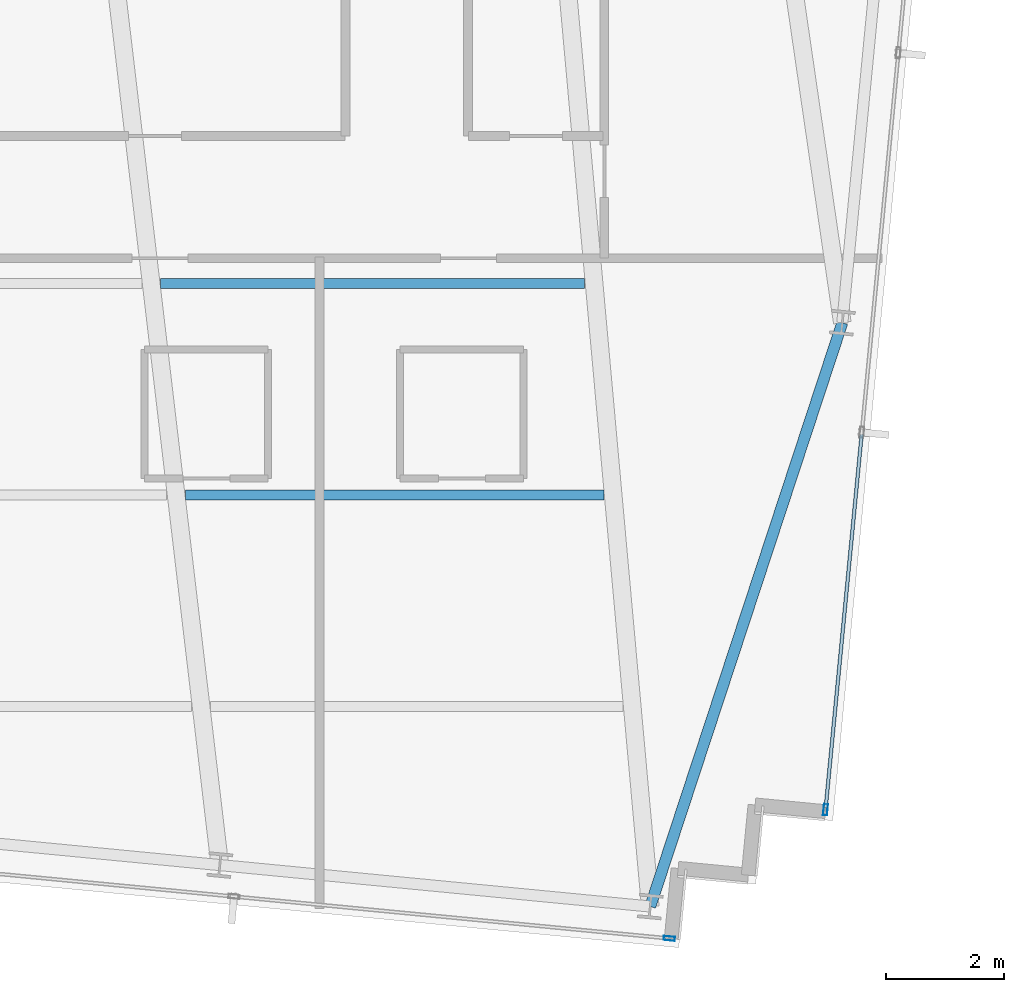
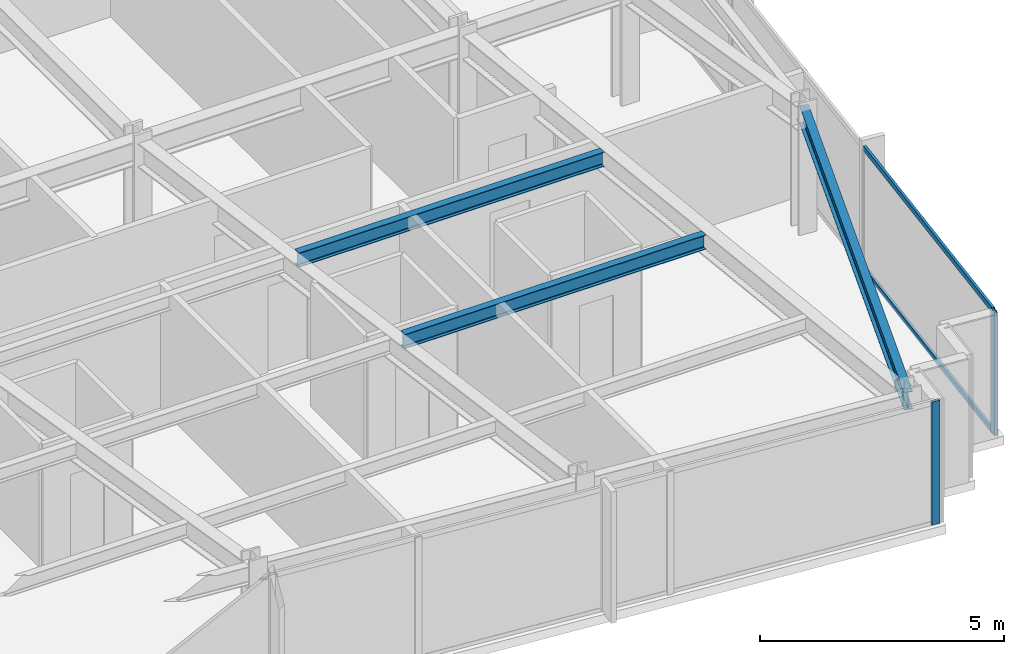
# One storey, part 14 of 38: 4 members, 3 beams, 2 elements without a shape of their own.
"""IFC4 building model written with IfcOpenShell, lengths in metres."""

from ifc_helpers import new_model, si_unit, direction, frame, origin, origin_2d, place, context, subcontext, project, spatial, hollow_rectangle, i_section, extrude, material, material_profile, profile_set, type_object, element, aggregate, save


model = new_model("IFC4")

# Units and contexts
model_context = context("Model", 3, precision=1e-05, world=origin(), true_north=direction((0.0, 1.0)))
body_context = subcontext(model_context, "Body", "Model", "MODEL_VIEW")
ifc_project = project(units=[si_unit("LENGTHUNIT", "METRE"), si_unit("AREAUNIT", "SQUARE_METRE"), si_unit("VOLUMEUNIT", "CUBIC_METRE"), si_unit("PLANEANGLEUNIT", "RADIAN"), si_unit("MASSUNIT", "GRAM", prefix="KILO")], contexts=[model_context])

# Site, building, storey
site_placement = place(None, origin())
site = spatial("IfcSite", under=ifc_project, at=site_placement, CompositionType="ELEMENT")
building_placement = place(site_placement, origin())
building = spatial("IfcBuilding", under=site, at=building_placement, Name="Yelkora Congress Tower", CompositionType="ELEMENT")
storey_placement = place(building_placement, frame((0.0, 0.0, 185.300048828125)))
storey = spatial("IfcBuildingStorey", under=building, at=storey_placement, Name="L51", CompositionType="ELEMENT", Elevation=185.300048828125)

# Beams
ifc_material_1 = material(Name="Steel S355J2", Category="steel")
ifc_material_profile_1 = material_profile(ifc_material_1, i_section(OverallWidth=0.169921875, OverallDepth=0.360107421875, WebThickness=0.008056640625, FlangeThickness=0.0126953125, FilletRadius=0.01806640625, at=origin_2d()), Name="IPE 360")
ifc_profile_set_1 = profile_set([ifc_material_profile_1], Name="Steel S355J2")
beam_type_1 = type_object("IfcBeamType", Name="BM-JOIST-IPE360", PredefinedType="JOIST", material=ifc_profile_set_1)
beam_1_placement = place(storey_placement, frame((47.27587890625, 16.421142578125, 2.89990234375), z_axis=(1.0, 0.0, 0.0), x_axis=(0.0, 1.0, 0.0)))
element("IfcBeam", 1, at=beam_1_placement, inside=storey, type_object=beam_type_1, Name="L51 Composite Floor Joist 11", PredefinedType="JOIST", context=body_context, shape_type="SweptSolid", body=[
    extrude(i_section(OverallWidth=0.169921875, OverallDepth=0.360107421875, WebThickness=0.008056640625, FlangeThickness=0.0126953125, FilletRadius=0.01806640625, at=origin_2d()), origin(), (0.0, 0.0, 1.0), 7.115234375),
])
beam_2_placement = place(storey_placement, frame((46.851318359375, 20.021240234375, 2.89990234375), z_axis=(1.0, 0.0, 0.0), x_axis=(0.0, 1.0, 0.0)))
element("IfcBeam", 2, at=beam_2_placement, inside=storey, type_object=beam_type_1, Name="L51 Composite Floor Joist 18", PredefinedType="JOIST", context=body_context, shape_type="SweptSolid", body=[
    extrude(i_section(OverallWidth=0.169921875, OverallDepth=0.360107421875, WebThickness=0.008056640625, FlangeThickness=0.0126953125, FilletRadius=0.01806640625, at=origin_2d()), origin(), (0.0, 0.0, 1.0), 7.215576171875),
])
ifc_material_profile_2 = material_profile(ifc_material_1, i_section(OverallWidth=0.18994140625, OverallDepth=0.449951171875, WebThickness=0.009521484375, FlangeThickness=0.0146484375, FilletRadius=0.02099609375, at=origin_2d()), Name="IPE 450")
ifc_profile_set_2 = profile_set([ifc_material_profile_2], Name="Steel S355J2")
beam_type_2 = type_object("IfcBeamType", Name="BM-SPAN-IPE450", PredefinedType="SPANDREL", material=ifc_profile_set_2)
beam_3_placement = place(storey_placement, frame((55.18212890625, 9.421142578125, 2.85498046875), z_axis=(0.312456737339, 0.949931990877, 0.0), x_axis=(-0.949931990877, 0.312456737339, 0.0)))
element("IfcBeam", 3, at=beam_3_placement, inside=storey, type_object=beam_type_2, Name="L51 Perimeter Beam 9", PredefinedType="SPANDREL", context=body_context, shape_type="SweptSolid", body=[
    extrude(i_section(OverallWidth=0.18994140625, OverallDepth=0.449951171875, WebThickness=0.009521484375, FlangeThickness=0.0146484375, FilletRadius=0.02099609375, at=origin_2d()), origin(), (0.0, 0.0, 1.0), 10.4560546875),
])

# Curtain wall, member
ifc_material_2 = material(Name="Anodised aluminium and insulated glass", Category="aluminium")
curtain_wall_type = type_object("IfcCurtainWallType", Name="CW-SYS-B3", PredefinedType="NOTDEFINED", material=ifc_material_2)
curtain_wall_1_placement = place(storey_placement, origin())
curtain_wall_1 = element("IfcCurtainWall", 4, at=curtain_wall_1_placement, inside=storey, type_object=curtain_wall_type, Name="L51 Unitised Curtain Wall 15", PredefinedType="NOTDEFINED")
ifc_material_3 = material(Name="Anodised aluminium 6063-T6", Category="aluminium")
ifc_material_profile_3 = material_profile(ifc_material_3, hollow_rectangle(XDim=0.070068359375, YDim=0.18994140625, WallThickness=0.00390625, at=origin_2d()), Name="ALU 70x190x4")
ifc_profile_set_3 = profile_set([ifc_material_profile_3], Name="Anodised aluminium 6063-T6")
member_type_1 = type_object("IfcMemberType", Name="MEM-ML-B3", PredefinedType="MULLION", material=ifc_profile_set_3)
member_1_placement = place(storey_placement, frame((58.163818359375, 11.068115234375, 0.0), z_axis=(0.0, 0.0, 1.0), x_axis=(0.995396565076, -0.095841944023, 0.0)))
member_1 = element("IfcMember", 5, at=member_1_placement, type_object=member_type_1, Name="CW-B3 mullion 6", PredefinedType="MULLION", context=body_context, shape_type="SweptSolid", body=[
    extrude(hollow_rectangle(XDim=0.070068359375, YDim=0.18994140625, WallThickness=0.00390625, at=origin_2d()), origin(), (0.0, 0.0, 1.0), 3.079833984375),
])

curtain_wall_2_placement = place(storey_placement, origin())
curtain_wall_2 = element("IfcCurtainWall", 6, at=curtain_wall_2_placement, inside=storey, type_object=curtain_wall_type, Name="L51 Unitised Curtain Wall 20", PredefinedType="NOTDEFINED")
member_2_placement = place(storey_placement, frame((55.506591796875, 8.877685546875, 0.0), z_axis=(0.0, 0.0, 1.0), x_axis=(-0.095844680679, -0.995396301573, 0.0)))
member_2 = element("IfcMember", 7, at=member_2_placement, type_object=member_type_1, Name="CW-B3 mullion 1", PredefinedType="MULLION", context=body_context, shape_type="SweptSolid", body=[
    extrude(hollow_rectangle(XDim=0.070068359375, YDim=0.18994140625, WallThickness=0.00390625, at=origin_2d()), origin(), (0.0, 0.0, 1.0), 3.079833984375),
])
aggregate(curtain_wall_2, [member_2])

# Member
ifc_material_profile_4 = material_profile(ifc_material_3, hollow_rectangle(XDim=0.06005859375, YDim=0.1298828125, WallThickness=0.00390625, at=origin_2d()), Name="ALU 60x130x4")
ifc_profile_set_4 = profile_set([ifc_material_profile_4], Name="Anodised aluminium 6063-T6")
member_type_2 = type_object("IfcMemberType", Name="MEM-TR-B3", PredefinedType="USERDEFINED", material=ifc_profile_set_4)
member_3_placement = place(storey_placement, frame((58.778564453125, 17.45263671875, 0.030029296875), z_axis=(-0.095869192297, -0.995393941095, 0.0), x_axis=(0.995393941095, -0.095869192297, 0.0)))
member_3 = element("IfcMember", 8, at=member_3_placement, type_object=member_type_2, Name="CW-B3 transom 5.1", ObjectType="TRANSOM", PredefinedType="USERDEFINED", context=body_context, shape_type="SweptSolid", body=[
    extrude(hollow_rectangle(XDim=0.06005859375, YDim=0.1298828125, WallThickness=0.00390625, at=origin_2d()), origin(), (0.0, 0.0, 1.0), 6.379150390625),
])

member_4_placement = place(storey_placement, frame((58.778564453125, 17.45263671875, 3.050048828125), z_axis=(-0.095869192297, -0.995393941095, 0.0), x_axis=(0.995393941095, -0.095869192297, 0.0)))
member_4 = element("IfcMember", 9, at=member_4_placement, type_object=member_type_2, Name="CW-B3 transom 5.2", ObjectType="TRANSOM", PredefinedType="USERDEFINED", context=body_context, shape_type="SweptSolid", body=[
    extrude(hollow_rectangle(XDim=0.06005859375, YDim=0.1298828125, WallThickness=0.00390625, at=origin_2d()), origin(), (0.0, 0.0, 1.0), 6.379150390625),
])

aggregate(curtain_wall_1, [member_1, member_3, member_4])

save(model, "model.ifc")
